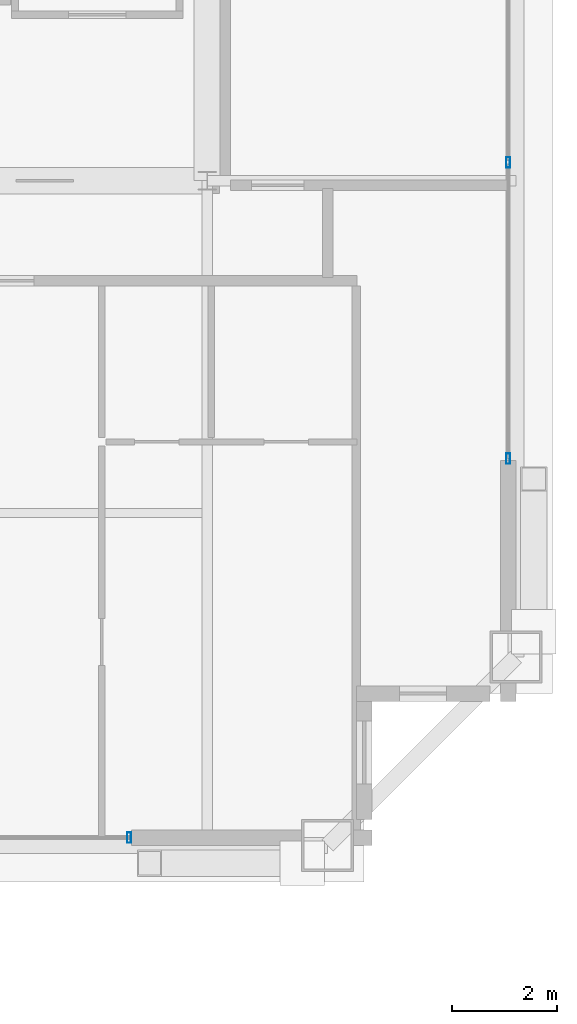
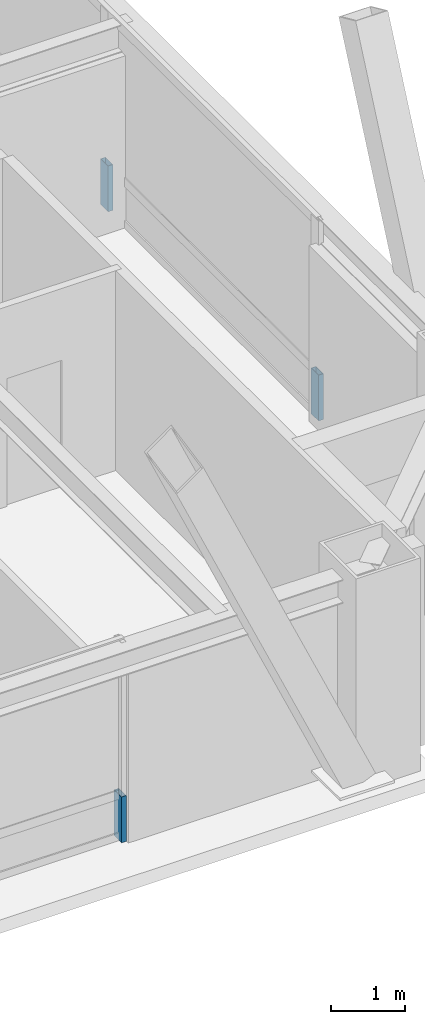
# One storey, part 22 of 33: 3 members, 2 elements without a shape of their own.
"""IFC4 building model written with IfcOpenShell, lengths in metres."""

from ifc_helpers import new_model, si_unit, direction, frame, origin, origin_2d, place, context, subcontext, project, spatial, hollow_rectangle, extrude, source, transform, mapped, material, layer, layer_set, material_profile, profile_set, type_object, element, aggregate, save


model = new_model("IFC4")

# Units and contexts
model_context = context("Model", 3, precision=1e-05, world=origin(), true_north=direction((0.0, 1.0)))
body_context = subcontext(model_context, "Body", "Model", "MODEL_VIEW")
ifc_project = project(units=[si_unit("LENGTHUNIT", "METRE"), si_unit("AREAUNIT", "SQUARE_METRE"), si_unit("VOLUMEUNIT", "CUBIC_METRE"), si_unit("PLANEANGLEUNIT", "RADIAN"), si_unit("MASSUNIT", "GRAM", prefix="KILO"), si_unit("THERMODYNAMICTEMPERATUREUNIT", "KELVIN"), si_unit("POWERUNIT", "WATT")], contexts=[model_context])

# Site, building, storey
site_placement = place(None, origin())
site = spatial("IfcSite", under=ifc_project, at=site_placement, CompositionType="ELEMENT")
building_placement = place(site_placement, origin())
building = spatial("IfcBuilding", under=site, at=building_placement, Name="Yuzanri Waterfront Tower", CompositionType="ELEMENT")
storey_placement = place(building_placement, frame((0.0, 0.0, 321.699951171875)))
storey = spatial("IfcBuildingStorey", under=building, at=storey_placement, Name="L86", CompositionType="ELEMENT", Elevation=321.699951171875)

# Curtain wall, member
ifc_material_1 = material(Name="Anodized Architectural Bronze", Category="metal")
ifc_layer = layer(ifc_material_1, 0.159912109375)
ifc_layer_set = layer_set([ifc_layer], Name="Anodized Architectural Bronze")
curtain_wall_type = type_object("IfcCurtainWallType", Name="Anodized Bronze High-Rise Penthouse High-Wind Unitized Curtain Wall 6900", PredefinedType="NOTDEFINED", material=ifc_layer_set)
curtain_wall_1_placement = place(storey_placement, origin())
curtain_wall_1 = element("IfcCurtainWall", 1, at=curtain_wall_1_placement, inside=storey, type_object=curtain_wall_type, Name="L86 Curtain Wall CW-L86-SR2", PredefinedType="NOTDEFINED")
ifc_material_2 = material(Name="Anodized Architectural Bronze", Category="metal")
ifc_material_profile = material_profile(ifc_material_2, hollow_rectangle(XDim=0.074951171875, YDim=0.199951171875, WallThickness=0.00390625, at=origin_2d()), Name="CWM 75x200")
ifc_profile_set = profile_set([ifc_material_profile], Name="Anodized Architectural Bronze")
member_type = type_object("IfcMemberType", Name="Anodized Bronze Primary Curtain-Wall Mullion 75x200", PredefinedType="MULLION", material=ifc_profile_set)
shared_shape = source(origin(), body_context, "Body", "SweptSolid", [
    extrude(hollow_rectangle(XDim=0.074951171875, YDim=0.199951171875, WallThickness=0.00390625, at=origin_2d()), origin(), (0.0, 0.0, 1.0), 0.751953125),
])
member_1_placement = place(storey_placement, frame((48.7099609375, 6.85009765625, 0.0), z_axis=(0.0, 0.0, 1.0), x_axis=(1.0, 0.0, 0.0)))
member_1 = element("IfcMember", 2, at=member_1_placement, type_object=member_type, Name="CW-L86-SR2 Lower Mullion 01", PredefinedType="MULLION", context=body_context, shape_type="MappedRepresentation", body=[
    mapped(shared_shape, transform((0.0, 0.0, 0.0), scale=1.0)),
])
aggregate(curtain_wall_1, [member_1])

# Curtain wall, members
curtain_wall_2_placement = place(storey_placement, origin())
curtain_wall_2 = element("IfcCurtainWall", 3, at=curtain_wall_2_placement, inside=storey, type_object=curtain_wall_type, Name="L86 Curtain Wall CW-L86-EL", PredefinedType="NOTDEFINED")
member_2_placement = place(storey_placement, frame((55.949951171875, 14.090087890625, 0.0), z_axis=(0.0, 0.0, 1.0), x_axis=(1.0, 0.0, 0.0)))
member_2 = element("IfcMember", 4, at=member_2_placement, type_object=member_type, Name="CW-L86-EL Lower Mullion 00", PredefinedType="MULLION", context=body_context, shape_type="MappedRepresentation", body=[
    mapped(shared_shape, transform((0.0, 0.0, 0.0), scale=1.0)),
])
member_3_placement = place(storey_placement, frame((55.949951171875, 19.75, 0.0), z_axis=(0.0, 0.0, 1.0), x_axis=(1.0, 0.0, 0.0)))
member_3 = element("IfcMember", 5, at=member_3_placement, type_object=member_type, Name="CW-L86-EL Lower Mullion 01", PredefinedType="MULLION", context=body_context, shape_type="MappedRepresentation", body=[
    mapped(shared_shape, transform((0.0, 0.0, 0.0), scale=1.0)),
])
aggregate(curtain_wall_2, [member_2, member_3])

save(model, "model.ifc")
